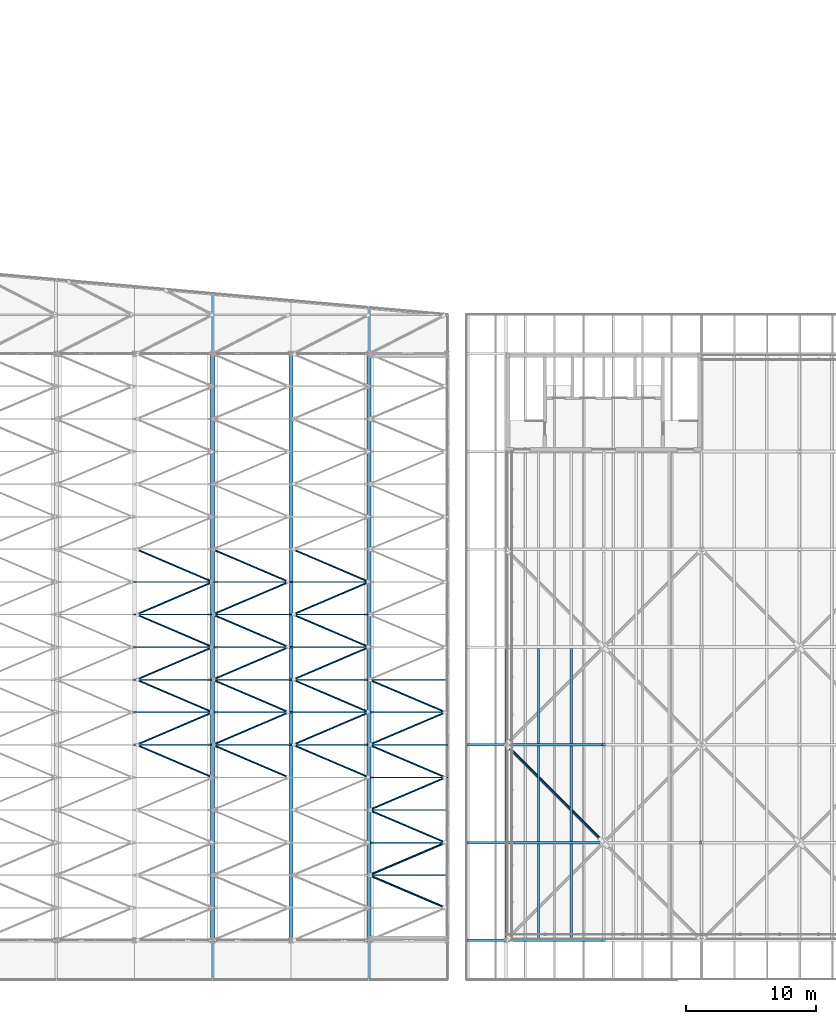
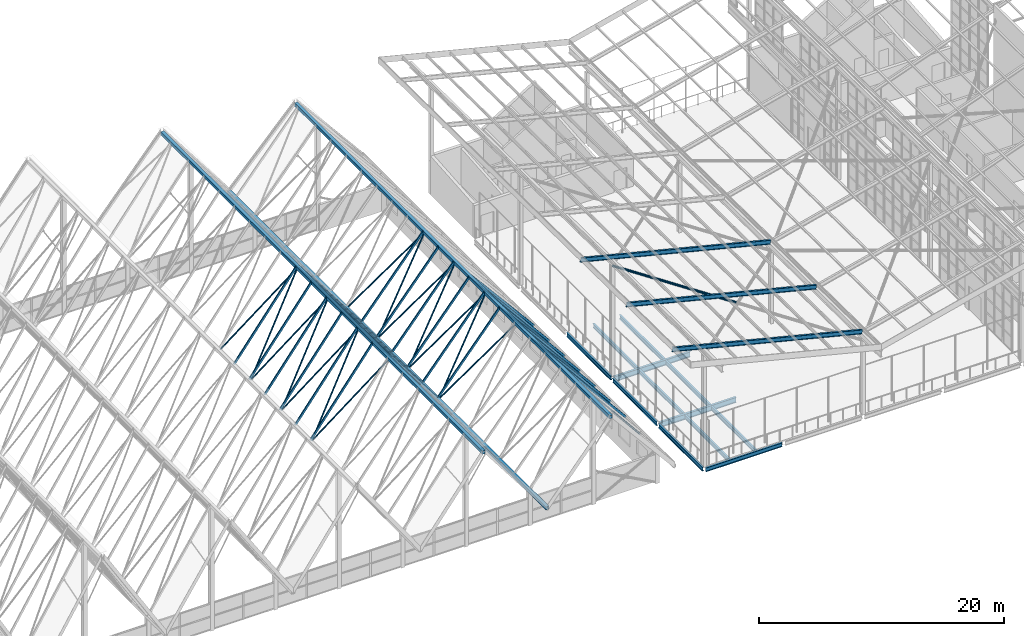
# One storey, part 26 of 483: 60 members, 12 beams.
"""IFC4 building model written with IfcOpenShell, lengths in metres."""

import ifcopenshell
import ifcopenshell.guid

model = None  # the IFC model being written
_history = None  # IfcOwnerHistory: only IFC2X3 demands one
_inside = {}  # id of a spatial element -> (the spatial element, [elements in it])
_under = {}  # id of a project, library or spatial element -> (it, [spatial elements below it])
_declared = {}  # id of a project -> (the project, [libraries it declares])
_typed = {}  # id of a type object -> (the type object, [elements of that type])
_made_of = {}  # id of a material, layer set ... -> (it, [elements and type objects made of it])


def new_model(schema):
    """Start an empty IFC model of exactly this schema.

    Asked for "IFC4X3", IfcOpenShell would pick the latest addendum, in which some entities
    have other attributes; the version numbers below select the first issue.
    IFC2X3 requires an IfcOwnerHistory on every rooted entity: one is made here for all.
    """
    global model, _history
    if schema == "IFC4X3":
        model = ifcopenshell.file(schema_version=(4, 3, 0, 0))
    else:
        model = ifcopenshell.file(schema=schema)
    _inside.clear()
    _under.clear()
    _declared.clear()
    _typed.clear()
    _made_of.clear()
    _history = None
    if model.schema == "IFC2X3":
        org = make("IfcOrganization", Name="unknown")
        user = make(
            "IfcPersonAndOrganization",
            ThePerson=make("IfcPerson", FamilyName="unknown"),
            TheOrganization=org,
        )
        app = make(
            "IfcApplication",
            ApplicationDeveloper=org,
            Version="unknown",
            ApplicationFullName="unknown",
            ApplicationIdentifier="unknown",
        )
        _history = make(
            "IfcOwnerHistory",
            OwningUser=user,
            OwningApplication=app,
            ChangeAction="ADDED",
            CreationDate=0,
        )
    return model


def make(cls, **values):
    """One entity of the class cls with the attributes given. An attribute that is None is left unset."""
    return model.create_entity(
        cls, **{name: value for name, value in values.items() if value is not None}
    )


def rooted(cls, **values):
    """An entity with a GlobalId (a new one), such as an element, a storey or a relation."""
    return make(cls, GlobalId=ifcopenshell.guid.new(), OwnerHistory=_history, **values)


def si_unit(unit_type, name, prefix=None):
    """IfcSIUnit, for example si_unit("LENGTHUNIT", "METRE", prefix="MILLI")."""
    return make("IfcSIUnit", UnitType=unit_type, Prefix=prefix, Name=name)


def assignment(units):
    """IfcUnitAssignment: the units of a project."""
    return None if units is None else make("IfcUnitAssignment", Units=units)


def point(xyz):
    """IfcCartesianPoint."""
    return None if xyz is None else make("IfcCartesianPoint", Coordinates=xyz)


def direction(xyz):
    """IfcDirection."""
    return None if xyz is None else make("IfcDirection", DirectionRatios=xyz)


def frame(location, z_axis=None, x_axis=None):
    """IfcAxis2Placement3D, a coordinate frame: its origin and axes. An axis left out is left unset."""
    return make(
        "IfcAxis2Placement3D",
        Location=point(location),
        Axis=direction(z_axis),
        RefDirection=direction(x_axis),
    )


def frame_2d(location, x_axis=None):
    """IfcAxis2Placement2D, a coordinate frame in the plane: its origin and x axis."""
    return make(
        "IfcAxis2Placement2D", Location=point(location), RefDirection=direction(x_axis)
    )


def origin():
    """The frame at (0, 0, 0) with its axes left unset."""
    return frame((0.0, 0.0, 0.0))


def origin_2d():
    """The frame at (0, 0) in the plane with its x axis left unset."""
    return frame_2d((0.0, 0.0))


def place(relative_to, where):
    """IfcLocalPlacement: puts the frame where relative to a parent placement (None: the world)."""
    return make(
        "IfcLocalPlacement", PlacementRelTo=relative_to, RelativePlacement=where
    )


def context(
    kind, dimensions, precision=None, world=None, true_north=None, identifier=None
):
    """IfcGeometricRepresentationContext, for example the 3D "Model" context."""
    return make(
        "IfcGeometricRepresentationContext",
        ContextIdentifier=identifier,
        ContextType=kind,
        CoordinateSpaceDimension=dimensions,
        Precision=precision,
        WorldCoordinateSystem=world,
        TrueNorth=true_north,
    )


def subcontext(parent, identifier, kind, view, scale=None):
    """IfcGeometricRepresentationSubContext, for example "Body" below "Model"."""
    return make(
        "IfcGeometricRepresentationSubContext",
        ContextIdentifier=identifier,
        ContextType=kind,
        ParentContext=parent,
        TargetScale=scale,
        TargetView=view,
    )


def project(units=None, contexts=None):
    """IfcProject with its units and contexts."""
    return rooted(
        "IfcProject",
        Name="project",
        RepresentationContexts=contexts,
        UnitsInContext=assignment(units),
    )


def spatial(cls, under=None, at=None, **own):
    """A site, building, storey or space (cls), placed at a placement, below another one or the project."""
    s = rooted(cls, ObjectPlacement=at, **own)
    if under is not None:
        _under.setdefault(under.id(), (under, []))[1].append(s)
    return s


def profile(cls, at=None, kind="AREA", **sizes):
    """A parametric profile (cls). Its sizes go by their IFC names, for example OverallWidth=200.0."""
    return make(cls, ProfileType=kind, Position=at, **sizes)


def hollow_rectangle(**sizes):
    """IfcRectangleHollowProfileDef."""
    return profile("IfcRectangleHollowProfileDef", **sizes)


def hollow_circle(**sizes):
    """IfcCircleHollowProfileDef."""
    return profile("IfcCircleHollowProfileDef", **sizes)


def i_section(**sizes):
    """IfcIShapeProfileDef."""
    return profile("IfcIShapeProfileDef", **sizes)


def extrude(swept, where, along, depth):
    """IfcExtrudedAreaSolid: the profile swept, set in the frame where, extruded along a direction by depth."""
    return make(
        "IfcExtrudedAreaSolid",
        SweptArea=swept,
        Position=where,
        ExtrudedDirection=direction(along),
        Depth=depth,
    )


def shape(context_of_items, identifier, shape_type, items):
    """IfcShapeRepresentation: the items that make up one representation, for example the "Body"."""
    return make(
        "IfcShapeRepresentation",
        ContextOfItems=context_of_items,
        RepresentationIdentifier=identifier,
        RepresentationType=shape_type,
        Items=items,
    )


def material(Name=None, Category=None):
    """IfcMaterial."""
    return make("IfcMaterial", Name=Name, Category=Category)


def material_profile(
    of_material, cross_section, Name=None, Category=None, Priority=None
):
    """IfcMaterialProfile: a cross section and its material."""
    return make(
        "IfcMaterialProfile",
        Name=Name,
        Material=of_material,
        Profile=cross_section,
        Priority=Priority,
        Category=Category,
    )


def profile_set(profiles, Name=None, composite=None):
    """IfcMaterialProfileSet."""
    return make(
        "IfcMaterialProfileSet",
        Name=Name,
        MaterialProfiles=profiles,
        CompositeProfile=composite,
    )


def made_of(thing, what):
    """Note that an element or type object is made of a material, layer set ...; save() writes the relation."""
    if what is not None:
        _made_of.setdefault(what.id(), (what, []))[1].append(thing)
    return thing


def type_object(cls, material=None, **own):
    """A type object (cls), such as IfcWallType, which elements share."""
    return made_of(rooted(cls, **own), material)


def element(
    cls,
    number,
    at=None,
    inside=None,
    cuts=None,
    type_object=None,
    material=None,
    context=None,
    identifier="Body",
    shape_type=None,
    held_by="IfcProductDefinitionShape",
    body=None,
    shapes=None,
    **own,
):
    """One element of the class cls, such as IfcWall. Its Tag is "e" and its number.

    at: its placement. inside: the storey or other place that contains it. cuts: it is an
    opening in that element (IfcRelVoidsElement). A single representation is given by context,
    identifier, shape_type and body (its items); several are given by shapes. held_by: the class
    of the entity that holds the representations. save() writes the other relations.
    """
    e = rooted(cls, Tag="e%d" % number, ObjectPlacement=at, **own)
    if body is not None:
        shapes = [shape(context, identifier, shape_type, body)]
    if shapes is not None:
        e.Representation = make(held_by, Representations=shapes)
    if inside is not None:
        _inside.setdefault(inside.id(), (inside, []))[1].append(e)
    if cuts is not None:
        rooted(
            "IfcRelVoidsElement", RelatingBuildingElement=cuts, RelatedOpeningElement=e
        )
    if type_object is not None:
        _typed.setdefault(type_object.id(), (type_object, []))[1].append(e)
    return made_of(e, material)


def aggregate(whole, parts):
    """IfcRelAggregates: a whole, such as a stair, and the parts it consists of."""
    return rooted("IfcRelAggregates", RelatingObject=whole, RelatedObjects=parts)


def save(model, path):
    """Write the relations noted so far, then the file.

    IfcRelAggregates (storeys below a building ...), IfcRelContainedInSpatialStructure (elements
    in a storey), IfcRelDefinesByType, IfcRelAssociatesMaterial and IfcRelDeclares: one each for
    every whole, place, type object, material and project.
    """
    for whole, parts in _under.values():
        aggregate(whole, parts)
    for where, things in _inside.values():
        rooted(
            "IfcRelContainedInSpatialStructure",
            RelatedElements=things,
            RelatingStructure=where,
        )
    for kind, things in _typed.values():
        rooted("IfcRelDefinesByType", RelatedObjects=things, RelatingType=kind)
    for what, things in _made_of.values():
        rooted("IfcRelAssociatesMaterial", RelatedObjects=things, RelatingMaterial=what)
    for by, libraries in _declared.values():
        rooted("IfcRelDeclares", RelatingContext=by, RelatedDefinitions=libraries)
    model.write(path)


model = new_model("IFC4")

# Units and contexts
model_context = context("Model", 3, precision=1e-05, world=origin(), true_north=direction((0.0, 1.0)))
body_context = subcontext(model_context, "Body", "Model", "MODEL_VIEW")
ifc_project = project(units=[si_unit("LENGTHUNIT", "METRE"), si_unit("AREAUNIT", "SQUARE_METRE"), si_unit("VOLUMEUNIT", "CUBIC_METRE"), si_unit("PLANEANGLEUNIT", "RADIAN"), si_unit("MASSUNIT", "GRAM", prefix="KILO")], contexts=[model_context])

# Site, building, storey
site_placement = place(None, origin())
site = spatial("IfcSite", under=ifc_project, at=site_placement, CompositionType="ELEMENT")
building_placement = place(site_placement, origin())
building = spatial("IfcBuilding", under=site, at=building_placement, Name="Parallax Yard Mobility Hub", CompositionType="ELEMENT")
storey_placement = place(building_placement, frame((0.0, 0.0, 13.199951171875)))
storey = spatial("IfcBuildingStorey", under=building, at=storey_placement, Name="L04", CompositionType="ELEMENT", Elevation=13.199951171875)

# Members
ifc_material_1 = material(Name="Steel ASTM A500 Gr C", Category="steel")
ifc_material_profile_1 = material_profile(ifc_material_1, hollow_rectangle(XDim=0.3046875, YDim=0.3046875, WallThickness=0.0126953125, at=origin_2d()), Name="HSS305x305x12.7")
ifc_profile_set_1 = profile_set([ifc_material_profile_1], Name="Steel ASTM A500 Gr C")
member_type_1 = type_object("IfcMemberType", Name="Fold chord HSS305x305x12.7", PredefinedType="CHORD", material=ifc_profile_set_1)
member_1_placement = place(storey_placement, frame((75.0, 4.5, 11.119384765625), z_axis=(0.0, 1.0, 0.0), x_axis=(-1.0, 0.0, 0.0)))
element("IfcMember", 1, at=member_1_placement, inside=storey, type_object=member_type_1, Name="Fold line F12 chord", PredefinedType="CHORD", context=body_context, shape_type="SweptSolid", body=[
    extrude(hollow_rectangle(XDim=0.3046875, YDim=0.3046875, WallThickness=0.0126953125, at=origin_2d()), origin(), (0.0, 0.0, 1.0), 52.607177734375),
])
member_2_placement = place(storey_placement, frame((87.0, 4.5, 10.452392578125), z_axis=(0.0, 1.0, 0.0), x_axis=(-1.0, 0.0, 0.0)))
element("IfcMember", 2, at=member_2_placement, inside=storey, type_object=member_type_1, Name="Fold line F14 chord", PredefinedType="CHORD", context=body_context, shape_type="SweptSolid", body=[
    extrude(hollow_rectangle(XDim=0.3046875, YDim=0.3046875, WallThickness=0.0126953125, at=origin_2d()), origin(), (0.0, 0.0, 1.0), 51.53564453125),
])
ifc_material_profile_2 = material_profile(ifc_material_1, hollow_rectangle(XDim=0.3046875, YDim=0.3046875, WallThickness=0.009521484375, at=origin_2d()), Name="HSS305x305x9.5")
ifc_profile_set_2 = profile_set([ifc_material_profile_2], Name="Steel ASTM A500 Gr C")
member_type_2 = type_object("IfcMemberType", Name="Fold chord HSS305x305x9.5", PredefinedType="CHORD", material=ifc_profile_set_2)
member_3_placement = place(storey_placement, frame((81.0, 4.5, 3.452392578125), z_axis=(0.0, 1.0, 0.0), x_axis=(-1.0, 0.0, 0.0)))
element("IfcMember", 3, at=member_3_placement, inside=storey, type_object=member_type_2, Name="Fold line F13 chord", PredefinedType="CHORD", context=body_context, shape_type="SweptSolid", body=[
    extrude(hollow_rectangle(XDim=0.3046875, YDim=0.3046875, WallThickness=0.009521484375, at=origin_2d()), origin(), (0.0, 0.0, 1.0), 52.0712890625),
])
ifc_material_profile_3 = material_profile(ifc_material_1, hollow_circle(Radius=0.06982421875, WallThickness=0.00634765625, at=origin_2d()), Name="HSS139.7x6.4")
ifc_profile_set_3 = profile_set([ifc_material_profile_3], Name="Steel ASTM A500 Gr C")
member_type_3 = type_object("IfcMemberType", Name="Plate diagonal HSS139.7x6.4", PredefinedType="BRACE", material=ifc_profile_set_3)
for number, where, z_axis, x_axis, name in (
    (4, (92.873046875, 15.0, 3.376953125), (-0.619547352021, 0.263724845556, 0.739330970838), (-0.391665406317, -0.920107716246, 0.0), "Plate diagonal plate F14-F15 bay 4"),
    (5, (87.0, 17.5, 10.385498046875), (0.619547352021, 0.263724845556, -0.739330970838), (-0.391665406317, 0.920107716246, 0.0), "Plate diagonal plate F14-F15 bay 5"),
):
    element("IfcMember", number, at=place(storey_placement, frame(where, z_axis=z_axis, x_axis=x_axis)), inside=storey, type_object=member_type_3, Name=name, PredefinedType="BRACE", context=body_context, shape_type="SweptSolid", body=[
        extrude(hollow_circle(Radius=0.06982421875, WallThickness=0.00634765625, at=origin_2d()), origin(), (0.0, 0.0, 1.0), 9.4794921875),
    ])
for number, where, z_axis, x_axis, name in (
    (6, (75.0, 20.0, 11.039794921875), (-0.588700561603, 0.251682270826, -0.768171649647), (-0.393103707527, -0.919494140888, 0.0), "Plate diagonal plate F11-F12 bay 6"),
    (7, (80.84765625, 20.0, 3.409423828125), (-0.588700561603, 0.251682270826, 0.768171649647), (-0.393103707527, -0.919494140888, 0.0), "Plate diagonal plate F12-F13 bay 6"),
):
    element("IfcMember", number, at=place(storey_placement, frame(where, z_axis=z_axis, x_axis=x_axis)), inside=storey, type_object=member_type_3, Name=name, PredefinedType="BRACE", context=body_context, shape_type="SweptSolid", body=[
        extrude(hollow_circle(Radius=0.06982421875, WallThickness=0.00634765625, at=origin_2d()), origin(), (0.0, 0.0, 1.0), 9.93310546875),
    ])
member_4_placement = place(storey_placement, frame((87.0, 20.0, 10.385498046875), z_axis=(-0.619370499208, 0.264794334999, -0.739096844036), x_axis=(-0.393103707527, -0.919494140888, 0.0)))
element("IfcMember", 8, at=member_4_placement, inside=storey, type_object=member_type_3, Name="Plate diagonal plate F13-F14 bay 6", PredefinedType="BRACE", context=body_context, shape_type="SweptSolid", body=[
    extrude(hollow_circle(Radius=0.06982421875, WallThickness=0.00634765625, at=origin_2d()), origin(), (0.0, 0.0, 1.0), 9.44140625),
])
member_5_placement = place(storey_placement, frame((92.873046875, 20.0, 3.376953125), z_axis=(-0.619547352021, 0.263724845556, 0.739330970838), x_axis=(-0.391665406317, -0.920107716246, 0.0)))
element("IfcMember", 9, at=member_5_placement, inside=storey, type_object=member_type_3, Name="Plate diagonal plate F14-F15 bay 6", PredefinedType="BRACE", context=body_context, shape_type="SweptSolid", body=[
    extrude(hollow_circle(Radius=0.06982421875, WallThickness=0.00634765625, at=origin_2d()), origin(), (0.0, 0.0, 1.0), 9.4794921875),
])
for number, where, z_axis, x_axis, name in (
    (10, (69.15234375, 22.5, 3.409423828125), (0.588700561603, 0.251682270826, 0.768171649647), (-0.393103707527, 0.919494140888, 0.0), "Plate diagonal plate F11-F12 bay 7"),
    (11, (75.0, 22.5, 11.039794921875), (0.588700561603, 0.251682270826, -0.768171649647), (-0.393103707527, 0.919494140888, 0.0), "Plate diagonal plate F12-F13 bay 7"),
):
    element("IfcMember", number, at=place(storey_placement, frame(where, z_axis=z_axis, x_axis=x_axis)), inside=storey, type_object=member_type_3, Name=name, PredefinedType="BRACE", context=body_context, shape_type="SweptSolid", body=[
        extrude(hollow_circle(Radius=0.06982421875, WallThickness=0.00634765625, at=origin_2d()), origin(), (0.0, 0.0, 1.0), 9.93310546875),
    ])
member_6_placement = place(storey_placement, frame((81.15234375, 22.5, 3.407470703125), z_axis=(0.619370499208, 0.264794334999, 0.739096844036), x_axis=(-0.393103707527, 0.919494140888, 0.0)))
element("IfcMember", 12, at=member_6_placement, inside=storey, type_object=member_type_3, Name="Plate diagonal plate F13-F14 bay 7", PredefinedType="BRACE", context=body_context, shape_type="SweptSolid", body=[
    extrude(hollow_circle(Radius=0.06982421875, WallThickness=0.00634765625, at=origin_2d()), origin(), (0.0, 0.0, 1.0), 9.44140625),
])
member_7_placement = place(storey_placement, frame((87.0, 22.5, 10.385498046875), z_axis=(0.619547352021, 0.263724845556, -0.739330970838), x_axis=(-0.391665406317, 0.920107716246, 0.0)))
element("IfcMember", 13, at=member_7_placement, inside=storey, type_object=member_type_3, Name="Plate diagonal plate F14-F15 bay 7", PredefinedType="BRACE", context=body_context, shape_type="SweptSolid", body=[
    extrude(hollow_circle(Radius=0.06982421875, WallThickness=0.00634765625, at=origin_2d()), origin(), (0.0, 0.0, 1.0), 9.4794921875),
])
for number, where, z_axis, x_axis, name in (
    (14, (75.0, 25.0, 11.039794921875), (-0.588700561603, 0.251682270826, -0.768171649647), (-0.393103707527, -0.919494140888, 0.0), "Plate diagonal plate F11-F12 bay 8"),
    (15, (80.84765625, 25.0, 3.409423828125), (-0.588700561603, 0.251682270826, 0.768171649647), (-0.393103707527, -0.919494140888, 0.0), "Plate diagonal plate F12-F13 bay 8"),
):
    element("IfcMember", number, at=place(storey_placement, frame(where, z_axis=z_axis, x_axis=x_axis)), inside=storey, type_object=member_type_3, Name=name, PredefinedType="BRACE", context=body_context, shape_type="SweptSolid", body=[
        extrude(hollow_circle(Radius=0.06982421875, WallThickness=0.00634765625, at=origin_2d()), origin(), (0.0, 0.0, 1.0), 9.93310546875),
    ])
member_8_placement = place(storey_placement, frame((87.0, 25.0, 10.385498046875), z_axis=(-0.619370499208, 0.264794334999, -0.739096844036), x_axis=(-0.393103707527, -0.919494140888, 0.0)))
element("IfcMember", 16, at=member_8_placement, inside=storey, type_object=member_type_3, Name="Plate diagonal plate F13-F14 bay 8", PredefinedType="BRACE", context=body_context, shape_type="SweptSolid", body=[
    extrude(hollow_circle(Radius=0.06982421875, WallThickness=0.00634765625, at=origin_2d()), origin(), (0.0, 0.0, 1.0), 9.44140625),
])
member_9_placement = place(storey_placement, frame((92.873046875, 25.0, 3.376953125), z_axis=(-0.619547352021, 0.263724845556, 0.739330970838), x_axis=(-0.391665406317, -0.920107716246, 0.0)))
element("IfcMember", 17, at=member_9_placement, inside=storey, type_object=member_type_3, Name="Plate diagonal plate F14-F15 bay 8", PredefinedType="BRACE", context=body_context, shape_type="SweptSolid", body=[
    extrude(hollow_circle(Radius=0.06982421875, WallThickness=0.00634765625, at=origin_2d()), origin(), (0.0, 0.0, 1.0), 9.4794921875),
])
for number, where, z_axis, x_axis, name in (
    (18, (69.15234375, 27.5, 3.409423828125), (0.588700561603, 0.251682270826, 0.768171649647), (-0.393103707527, 0.919494140888, 0.0), "Plate diagonal plate F11-F12 bay 9"),
    (19, (75.0, 27.5, 11.039794921875), (0.588700561603, 0.251682270826, -0.768171649647), (-0.393103707527, 0.919494140888, 0.0), "Plate diagonal plate F12-F13 bay 9"),
):
    element("IfcMember", number, at=place(storey_placement, frame(where, z_axis=z_axis, x_axis=x_axis)), inside=storey, type_object=member_type_3, Name=name, PredefinedType="BRACE", context=body_context, shape_type="SweptSolid", body=[
        extrude(hollow_circle(Radius=0.06982421875, WallThickness=0.00634765625, at=origin_2d()), origin(), (0.0, 0.0, 1.0), 9.93310546875),
    ])
member_10_placement = place(storey_placement, frame((81.15234375, 27.5, 3.407470703125), z_axis=(0.619370499208, 0.264794334999, 0.739096844036), x_axis=(-0.393103707527, 0.919494140888, 0.0)))
element("IfcMember", 20, at=member_10_placement, inside=storey, type_object=member_type_3, Name="Plate diagonal plate F13-F14 bay 9", PredefinedType="BRACE", context=body_context, shape_type="SweptSolid", body=[
    extrude(hollow_circle(Radius=0.06982421875, WallThickness=0.00634765625, at=origin_2d()), origin(), (0.0, 0.0, 1.0), 9.44140625),
])
for number, where, z_axis, x_axis, name in (
    (21, (75.0, 30.0, 11.039794921875), (-0.588700561603, 0.251682270826, -0.768171649647), (-0.393103707527, -0.919494140888, 0.0), "Plate diagonal plate F11-F12 bay 10"),
    (22, (80.84765625, 30.0, 3.409423828125), (-0.588700561603, 0.251682270826, 0.768171649647), (-0.393103707527, -0.919494140888, 0.0), "Plate diagonal plate F12-F13 bay 10"),
):
    element("IfcMember", number, at=place(storey_placement, frame(where, z_axis=z_axis, x_axis=x_axis)), inside=storey, type_object=member_type_3, Name=name, PredefinedType="BRACE", context=body_context, shape_type="SweptSolid", body=[
        extrude(hollow_circle(Radius=0.06982421875, WallThickness=0.00634765625, at=origin_2d()), origin(), (0.0, 0.0, 1.0), 9.93310546875),
    ])
member_11_placement = place(storey_placement, frame((87.0, 30.0, 10.385498046875), z_axis=(-0.619370499208, 0.264794334999, -0.739096844036), x_axis=(-0.393103707527, -0.919494140888, 0.0)))
element("IfcMember", 23, at=member_11_placement, inside=storey, type_object=member_type_3, Name="Plate diagonal plate F13-F14 bay 10", PredefinedType="BRACE", context=body_context, shape_type="SweptSolid", body=[
    extrude(hollow_circle(Radius=0.06982421875, WallThickness=0.00634765625, at=origin_2d()), origin(), (0.0, 0.0, 1.0), 9.44140625),
])
for number, where, z_axis, x_axis, name in (
    (24, (69.15234375, 32.5, 3.409423828125), (0.588700561603, 0.251682270826, 0.768171649647), (-0.393103707527, 0.919494140888, 0.0), "Plate diagonal plate F11-F12 bay 11"),
    (25, (75.0, 32.5, 11.039794921875), (0.588700561603, 0.251682270826, -0.768171649647), (-0.393103707527, 0.919494140888, 0.0), "Plate diagonal plate F12-F13 bay 11"),
):
    element("IfcMember", number, at=place(storey_placement, frame(where, z_axis=z_axis, x_axis=x_axis)), inside=storey, type_object=member_type_3, Name=name, PredefinedType="BRACE", context=body_context, shape_type="SweptSolid", body=[
        extrude(hollow_circle(Radius=0.06982421875, WallThickness=0.00634765625, at=origin_2d()), origin(), (0.0, 0.0, 1.0), 9.93310546875),
    ])
member_12_placement = place(storey_placement, frame((81.15234375, 32.5, 3.407470703125), z_axis=(0.619370499208, 0.264794334999, 0.739096844036), x_axis=(-0.393103707527, 0.919494140888, 0.0)))
element("IfcMember", 26, at=member_12_placement, inside=storey, type_object=member_type_3, Name="Plate diagonal plate F13-F14 bay 11", PredefinedType="BRACE", context=body_context, shape_type="SweptSolid", body=[
    extrude(hollow_circle(Radius=0.06982421875, WallThickness=0.00634765625, at=origin_2d()), origin(), (0.0, 0.0, 1.0), 9.44140625),
])
for number, where, z_axis, x_axis, name in (
    (27, (75.0, 35.0, 11.039794921875), (-0.588700561603, 0.251682270826, -0.768171649647), (-0.393103707527, -0.919494140888, 0.0), "Plate diagonal plate F11-F12 bay 12"),
    (28, (80.84765625, 35.0, 3.409423828125), (-0.588700561603, 0.251682270826, 0.768171649647), (-0.393103707527, -0.919494140888, 0.0), "Plate diagonal plate F12-F13 bay 12"),
):
    element("IfcMember", number, at=place(storey_placement, frame(where, z_axis=z_axis, x_axis=x_axis)), inside=storey, type_object=member_type_3, Name=name, PredefinedType="BRACE", context=body_context, shape_type="SweptSolid", body=[
        extrude(hollow_circle(Radius=0.06982421875, WallThickness=0.00634765625, at=origin_2d()), origin(), (0.0, 0.0, 1.0), 9.93310546875),
    ])
member_13_placement = place(storey_placement, frame((87.0, 35.0, 10.385498046875), z_axis=(-0.619370499208, 0.264794334999, -0.739096844036), x_axis=(-0.393103707527, -0.919494140888, 0.0)))
element("IfcMember", 29, at=member_13_placement, inside=storey, type_object=member_type_3, Name="Plate diagonal plate F13-F14 bay 12", PredefinedType="BRACE", context=body_context, shape_type="SweptSolid", body=[
    extrude(hollow_circle(Radius=0.06982421875, WallThickness=0.00634765625, at=origin_2d()), origin(), (0.0, 0.0, 1.0), 9.44140625),
])
ifc_material_profile_4 = material_profile(ifc_material_1, hollow_circle(Radius=0.084228515625, WallThickness=0.007080078125, at=origin_2d()), Name="HSS168.3x7.1")
ifc_profile_set_4 = profile_set([ifc_material_profile_4], Name="Steel ASTM A500 Gr C")
member_type_4 = type_object("IfcMemberType", Name="Plate diagonal HSS168.3x7.1", PredefinedType="BRACE", material=ifc_profile_set_4)
for number, where, z_axis, x_axis, name in (
    (30, (92.873046875, 10.0, 3.376953125), (-0.619547352021, 0.263724845556, 0.739330970838), (-0.391665406317, -0.920107716246, 0.0), "Plate diagonal plate F14-F15 bay 2"),
    (31, (87.0, 12.5, 10.385498046875), (0.619547352021, 0.263724845556, -0.739330970838), (-0.391665406317, 0.920107716246, 0.0), "Plate diagonal plate F14-F15 bay 3"),
):
    element("IfcMember", number, at=place(storey_placement, frame(where, z_axis=z_axis, x_axis=x_axis)), inside=storey, type_object=member_type_4, Name=name, PredefinedType="BRACE", context=body_context, shape_type="SweptSolid", body=[
        extrude(hollow_circle(Radius=0.084228515625, WallThickness=0.007080078125, at=origin_2d()), origin(), (0.0, 0.0, 1.0), 9.4794921875),
    ])
ifc_material_profile_5 = material_profile(ifc_material_1, hollow_circle(Radius=0.109619140625, WallThickness=0.008056640625, at=origin_2d()), Name="HSS219.1x8.0")
ifc_profile_set_5 = profile_set([ifc_material_profile_5], Name="Steel ASTM A500 Gr C")
member_type_5 = type_object("IfcMemberType", Name="Roof brace HSS219.1x8.0", PredefinedType="BRACE", material=ifc_profile_set_5)
member_14_placement = place(storey_placement, frame((104.9306640625, 15.0693359375, 9.17724609375), z_axis=(-0.697140942964, 0.697140942964, 0.16729916702), x_axis=(-0.707106781187, -0.707106781187, 0.0)))
element("IfcMember", 32, at=member_14_placement, inside=storey, type_object=member_type_5, Name="Roof X brace west wing bay 1 2 (half 2)", PredefinedType="BRACE", context=body_context, shape_type="SweptSolid", body=[
    extrude(hollow_circle(Radius=0.109619140625, WallThickness=0.008056640625, at=origin_2d()), origin(), (0.0, 0.0, 1.0), 10.65869140625),
])
ifc_material_profile_6 = material_profile(ifc_material_1, hollow_rectangle(XDim=0.1015625, YDim=0.203125, WallThickness=0.00634765625, at=origin_2d()), Name="HSS203x102x6.4")
ifc_profile_set_6 = profile_set([ifc_material_profile_6], Name="Steel ASTM A500 Gr C")
member_type_6 = type_object("IfcMemberType", Name="Roof rafter HSS203x102x6.4", PredefinedType="RAFTER", material=ifc_profile_set_6)
for number, where, z_axis, x_axis, name in (
    (33, (87.074462890625, 12.5, 10.5634765625), (0.642303597154, 0.0, -0.766450317426), (0.0, 1.0, 0.0), "Roof rafter plate F14-F15 at y 12.5"),
    (34, (87.074462890625, 15.0, 10.5634765625), (0.642303597154, 0.0, -0.766450317426), (0.0, 1.0, 0.0), "Roof rafter plate F14-F15 at y 15"),
    (35, (87.074462890625, 17.5, 10.5634765625), (0.642303597154, 0.0, -0.766450317426), (0.0, 1.0, 0.0), "Roof rafter plate F14-F15 at y 17.5"),
    (36, (87.074462890625, 20.0, 10.5634765625), (0.642303597154, 0.0, -0.766450317426), (0.0, 1.0, 0.0), "Roof rafter plate F14-F15 at y 20"),
):
    element("IfcMember", number, at=place(storey_placement, frame(where, z_axis=z_axis, x_axis=x_axis)), inside=storey, type_object=member_type_6, Name=name, PredefinedType="RAFTER", context=body_context, shape_type="SweptSolid", body=[
        extrude(hollow_rectangle(XDim=0.1015625, YDim=0.203125, WallThickness=0.00634765625, at=origin_2d()), origin(), (0.0, 0.0, 1.0), 9.21337890625),
    ])
for number, where, z_axis, x_axis, name in (
    (37, (69.010498046875, 22.5, 3.50634765625), (0.608287178019, 0.0, 0.793717020768), (0.0, 1.0, 0.0), "Roof rafter plate F11-F12 at y 22.5"),
    (38, (75.07177734375, 22.5, 11.22802734375), (0.608287178019, 0.0, -0.793717020768), (0.0, 1.0, 0.0), "Roof rafter plate F12-F13 at y 22.5"),
):
    element("IfcMember", number, at=place(storey_placement, frame(where, z_axis=z_axis, x_axis=x_axis)), inside=storey, type_object=member_type_6, Name=name, PredefinedType="RAFTER", context=body_context, shape_type="SweptSolid", body=[
        extrude(hollow_rectangle(XDim=0.1015625, YDim=0.203125, WallThickness=0.00634765625, at=origin_2d()), origin(), (0.0, 0.0, 1.0), 9.728515625),
    ])
for number, where, z_axis, x_axis, name in (
    (39, (81.0078125, 22.5, 3.501953125), (0.642303597154, 0.0, 0.766450317426), (0.0, 1.0, 0.0), "Roof rafter plate F13-F14 at y 22.5"),
    (40, (87.074462890625, 22.5, 10.5634765625), (0.642303597154, 0.0, -0.766450317426), (0.0, 1.0, 0.0), "Roof rafter plate F14-F15 at y 22.5"),
):
    element("IfcMember", number, at=place(storey_placement, frame(where, z_axis=z_axis, x_axis=x_axis)), inside=storey, type_object=member_type_6, Name=name, PredefinedType="RAFTER", context=body_context, shape_type="SweptSolid", body=[
        extrude(hollow_rectangle(XDim=0.1015625, YDim=0.203125, WallThickness=0.00634765625, at=origin_2d()), origin(), (0.0, 0.0, 1.0), 9.21337890625),
    ])
for number, where, z_axis, x_axis, name in (
    (41, (69.010498046875, 25.0, 3.50634765625), (0.608287178019, 0.0, 0.793717020768), (0.0, 1.0, 0.0), "Roof rafter plate F11-F12 at y 25"),
    (42, (75.07177734375, 25.0, 11.22802734375), (0.608287178019, 0.0, -0.793717020768), (0.0, 1.0, 0.0), "Roof rafter plate F12-F13 at y 25"),
):
    element("IfcMember", number, at=place(storey_placement, frame(where, z_axis=z_axis, x_axis=x_axis)), inside=storey, type_object=member_type_6, Name=name, PredefinedType="RAFTER", context=body_context, shape_type="SweptSolid", body=[
        extrude(hollow_rectangle(XDim=0.1015625, YDim=0.203125, WallThickness=0.00634765625, at=origin_2d()), origin(), (0.0, 0.0, 1.0), 9.728515625),
    ])
for number, where, z_axis, x_axis, name in (
    (43, (81.0078125, 25.0, 3.501953125), (0.642303597154, 0.0, 0.766450317426), (0.0, 1.0, 0.0), "Roof rafter plate F13-F14 at y 25"),
    (44, (87.074462890625, 25.0, 10.5634765625), (0.642303597154, 0.0, -0.766450317426), (0.0, 1.0, 0.0), "Roof rafter plate F14-F15 at y 25"),
):
    element("IfcMember", number, at=place(storey_placement, frame(where, z_axis=z_axis, x_axis=x_axis)), inside=storey, type_object=member_type_6, Name=name, PredefinedType="RAFTER", context=body_context, shape_type="SweptSolid", body=[
        extrude(hollow_rectangle(XDim=0.1015625, YDim=0.203125, WallThickness=0.00634765625, at=origin_2d()), origin(), (0.0, 0.0, 1.0), 9.21337890625),
    ])
for number, where, z_axis, x_axis, name in (
    (45, (69.010498046875, 27.5, 3.50634765625), (0.608287178019, 0.0, 0.793717020768), (0.0, 1.0, 0.0), "Roof rafter plate F11-F12 at y 27.5"),
    (46, (75.07177734375, 27.5, 11.22802734375), (0.608287178019, 0.0, -0.793717020768), (0.0, 1.0, 0.0), "Roof rafter plate F12-F13 at y 27.5"),
):
    element("IfcMember", number, at=place(storey_placement, frame(where, z_axis=z_axis, x_axis=x_axis)), inside=storey, type_object=member_type_6, Name=name, PredefinedType="RAFTER", context=body_context, shape_type="SweptSolid", body=[
        extrude(hollow_rectangle(XDim=0.1015625, YDim=0.203125, WallThickness=0.00634765625, at=origin_2d()), origin(), (0.0, 0.0, 1.0), 9.728515625),
    ])
for number, where, z_axis, x_axis, name in (
    (47, (81.0078125, 27.5, 3.501953125), (0.642303597154, 0.0, 0.766450317426), (0.0, 1.0, 0.0), "Roof rafter plate F13-F14 at y 27.5"),
    (48, (87.074462890625, 27.5, 10.5634765625), (0.642303597154, 0.0, -0.766450317426), (0.0, 1.0, 0.0), "Roof rafter plate F14-F15 at y 27.5"),
):
    element("IfcMember", number, at=place(storey_placement, frame(where, z_axis=z_axis, x_axis=x_axis)), inside=storey, type_object=member_type_6, Name=name, PredefinedType="RAFTER", context=body_context, shape_type="SweptSolid", body=[
        extrude(hollow_rectangle(XDim=0.1015625, YDim=0.203125, WallThickness=0.00634765625, at=origin_2d()), origin(), (0.0, 0.0, 1.0), 9.21337890625),
    ])
for number, where, z_axis, x_axis, name in (
    (49, (69.010498046875, 30.0, 3.50634765625), (0.608287178019, 0.0, 0.793717020768), (0.0, 1.0, 0.0), "Roof rafter plate F11-F12 at y 30"),
    (50, (75.07177734375, 30.0, 11.22802734375), (0.608287178019, 0.0, -0.793717020768), (0.0, 1.0, 0.0), "Roof rafter plate F12-F13 at y 30"),
):
    element("IfcMember", number, at=place(storey_placement, frame(where, z_axis=z_axis, x_axis=x_axis)), inside=storey, type_object=member_type_6, Name=name, PredefinedType="RAFTER", context=body_context, shape_type="SweptSolid", body=[
        extrude(hollow_rectangle(XDim=0.1015625, YDim=0.203125, WallThickness=0.00634765625, at=origin_2d()), origin(), (0.0, 0.0, 1.0), 9.728515625),
    ])
member_15_placement = place(storey_placement, frame((81.0078125, 30.0, 3.501953125), z_axis=(0.642303597154, 0.0, 0.766450317426), x_axis=(0.0, 1.0, 0.0)))
element("IfcMember", 51, at=member_15_placement, inside=storey, type_object=member_type_6, Name="Roof rafter plate F13-F14 at y 30", PredefinedType="RAFTER", context=body_context, shape_type="SweptSolid", body=[
    extrude(hollow_rectangle(XDim=0.1015625, YDim=0.203125, WallThickness=0.00634765625, at=origin_2d()), origin(), (0.0, 0.0, 1.0), 9.21337890625),
])
for number, where, z_axis, x_axis, name in (
    (52, (69.010498046875, 32.5, 3.50634765625), (0.608287178019, 0.0, 0.793717020768), (0.0, 1.0, 0.0), "Roof rafter plate F11-F12 at y 32.5"),
    (53, (75.07177734375, 32.5, 11.22802734375), (0.608287178019, 0.0, -0.793717020768), (0.0, 1.0, 0.0), "Roof rafter plate F12-F13 at y 32.5"),
):
    element("IfcMember", number, at=place(storey_placement, frame(where, z_axis=z_axis, x_axis=x_axis)), inside=storey, type_object=member_type_6, Name=name, PredefinedType="RAFTER", context=body_context, shape_type="SweptSolid", body=[
        extrude(hollow_rectangle(XDim=0.1015625, YDim=0.203125, WallThickness=0.00634765625, at=origin_2d()), origin(), (0.0, 0.0, 1.0), 9.728515625),
    ])
member_16_placement = place(storey_placement, frame((81.0078125, 32.5, 3.501953125), z_axis=(0.642303597154, 0.0, 0.766450317426), x_axis=(0.0, 1.0, 0.0)))
element("IfcMember", 54, at=member_16_placement, inside=storey, type_object=member_type_6, Name="Roof rafter plate F13-F14 at y 32.5", PredefinedType="RAFTER", context=body_context, shape_type="SweptSolid", body=[
    extrude(hollow_rectangle(XDim=0.1015625, YDim=0.203125, WallThickness=0.00634765625, at=origin_2d()), origin(), (0.0, 0.0, 1.0), 9.21337890625),
])
for number, where, z_axis, x_axis, name in (
    (55, (69.010498046875, 35.0, 3.50634765625), (0.608287178019, 0.0, 0.793717020768), (0.0, 1.0, 0.0), "Roof rafter plate F11-F12 at y 35"),
    (56, (75.07177734375, 35.0, 11.22802734375), (0.608287178019, 0.0, -0.793717020768), (0.0, 1.0, 0.0), "Roof rafter plate F12-F13 at y 35"),
):
    element("IfcMember", number, at=place(storey_placement, frame(where, z_axis=z_axis, x_axis=x_axis)), inside=storey, type_object=member_type_6, Name=name, PredefinedType="RAFTER", context=body_context, shape_type="SweptSolid", body=[
        extrude(hollow_rectangle(XDim=0.1015625, YDim=0.203125, WallThickness=0.00634765625, at=origin_2d()), origin(), (0.0, 0.0, 1.0), 9.728515625),
    ])
member_17_placement = place(storey_placement, frame((81.0078125, 35.0, 3.501953125), z_axis=(0.642303597154, 0.0, 0.766450317426), x_axis=(0.0, 1.0, 0.0)))
element("IfcMember", 57, at=member_17_placement, inside=storey, type_object=member_type_6, Name="Roof rafter plate F13-F14 at y 35", PredefinedType="RAFTER", context=body_context, shape_type="SweptSolid", body=[
    extrude(hollow_rectangle(XDim=0.1015625, YDim=0.203125, WallThickness=0.00634765625, at=origin_2d()), origin(), (0.0, 0.0, 1.0), 9.21337890625),
])
ifc_material_2 = material(Name="Steel ASTM A992", Category="steel")
ifc_material_profile_7 = material_profile(ifc_material_2, i_section(OverallWidth=0.177978515625, OverallDepth=0.406982421875, WebThickness=0.0078125, FlangeThickness=0.0126953125, at=origin_2d()), Name="W410x60")
ifc_profile_set_7 = profile_set([ifc_material_profile_7], Name="Steel ASTM A992")
member_type_7 = type_object("IfcMemberType", Name="Roof rafter W410x60", PredefinedType="RAFTER", material=ifc_profile_set_7)
for number, where, z_axis, x_axis, name in (
    (58, (94.50048828125, 7.498046875, 12.74267578125), (0.970142500145, 0.0, -0.242535625036), (-0.002352689629, 0.999952950131, -0.009410758517), "Roof rafter court west wing at y 7.5"),
    (59, (94.50048828125, 14.998046875, 12.667724609375), (0.970142500145, 0.0, -0.242535625036), (-0.002352689629, 0.999952950131, -0.009410758517), "Roof rafter court west wing at y 15"),
    (60, (94.50048828125, 22.498046875, 12.592529296875), (0.97014560476, 0.0, -0.242523206239), (-0.002352569162, 0.999952950131, -0.009410788633), "Roof rafter court west wing at y 22.5"),
):
    element("IfcMember", number, at=place(storey_placement, frame(where, z_axis=z_axis, x_axis=x_axis)), inside=storey, type_object=member_type_7, Name=name, PredefinedType="RAFTER", context=body_context, shape_type="SweptSolid", body=[
        extrude(i_section(OverallWidth=0.177978515625, OverallDepth=0.406982421875, WebThickness=0.0078125, FlangeThickness=0.0126953125, at=origin_2d()), origin(), (0.0, 0.0, 1.0), 18.502685546875),
    ])

# Beams
ifc_material_profile_8 = material_profile(ifc_material_2, i_section(OverallWidth=0.177978515625, OverallDepth=0.406005859375, WebThickness=0.0078125, FlangeThickness=0.0126953125, FilletRadius=0.01025390625, at=origin_2d()), Name="W410x60")
ifc_profile_set_8 = profile_set([ifc_material_profile_8], Name="Steel ASTM A992")
beam_type_1 = type_object("IfcBeamType", Name="W410x60 secondary beam", PredefinedType="JOIST", material=ifc_profile_set_8)
beam_1_placement = place(storey_placement, frame((100.0, 7.589599609375, -0.343017578125), z_axis=(0.0, 1.0, 0.0), x_axis=(-1.0, 0.0, 0.0)))
element("IfcBeam", 61, at=beam_1_placement, inside=storey, type_object=beam_type_1, Name="Secondary beam B1 level L04, 2.5 m east of line 14 of mobility service centre and workshops, span 1", PredefinedType="JOIST", context=body_context, shape_type="SweptSolid", body=[
    extrude(i_section(OverallWidth=0.177978515625, OverallDepth=0.406005859375, WebThickness=0.0078125, FlangeThickness=0.0126953125, FilletRadius=0.01025390625, at=origin_2d()), origin(), (0.0, 0.0, 1.0), 7.305908203125),
])
for number, where, z_axis, x_axis, name in (
    (62, (100.0, 15.1044921875, -0.343017578125), (0.0, 1.0, 0.0), (-1.0, 0.0, 0.0), "Secondary beam B1 level L04, 2.5 m east of line 14 of mobility service centre and workshops, span 2"),
    (63, (100.0, 22.6044921875, -0.343017578125), (0.0, 1.0, 0.0), (-1.0, 0.0, 0.0), "Secondary beam B1 level L04, 2.5 m east of line 14 of mobility service centre and workshops, span 3"),
):
    element("IfcBeam", number, at=place(storey_placement, frame(where, z_axis=z_axis, x_axis=x_axis)), inside=storey, type_object=beam_type_1, Name=name, PredefinedType="JOIST", context=body_context, shape_type="SweptSolid", body=[
        extrude(i_section(OverallWidth=0.177978515625, OverallDepth=0.406005859375, WebThickness=0.0078125, FlangeThickness=0.0126953125, FilletRadius=0.01025390625, at=origin_2d()), origin(), (0.0, 0.0, 1.0), 7.291015625),
    ])
beam_2_placement = place(storey_placement, frame((102.5, 7.589599609375, -0.343017578125), z_axis=(0.0, 1.0, 0.0), x_axis=(-1.0, 0.0, 0.0)))
element("IfcBeam", 64, at=beam_2_placement, inside=storey, type_object=beam_type_1, Name="Secondary beam B1 level L04, 5 m east of line 14 of mobility service centre and workshops, span 1", PredefinedType="JOIST", context=body_context, shape_type="SweptSolid", body=[
    extrude(i_section(OverallWidth=0.177978515625, OverallDepth=0.406005859375, WebThickness=0.0078125, FlangeThickness=0.0126953125, FilletRadius=0.01025390625, at=origin_2d()), origin(), (0.0, 0.0, 1.0), 7.305908203125),
])
for number, where, z_axis, x_axis, name in (
    (65, (102.5, 15.1044921875, -0.343017578125), (0.0, 1.0, 0.0), (-1.0, 0.0, 0.0), "Secondary beam B1 level L04, 5 m east of line 14 of mobility service centre and workshops, span 2"),
    (66, (102.5, 22.6044921875, -0.343017578125), (0.0, 1.0, 0.0), (-1.0, 0.0, 0.0), "Secondary beam B1 level L04, 5 m east of line 14 of mobility service centre and workshops, span 3"),
):
    element("IfcBeam", number, at=place(storey_placement, frame(where, z_axis=z_axis, x_axis=x_axis)), inside=storey, type_object=beam_type_1, Name=name, PredefinedType="JOIST", context=body_context, shape_type="SweptSolid", body=[
        extrude(i_section(OverallWidth=0.177978515625, OverallDepth=0.406005859375, WebThickness=0.0078125, FlangeThickness=0.0126953125, FilletRadius=0.01025390625, at=origin_2d()), origin(), (0.0, 0.0, 1.0), 7.291015625),
    ])
ifc_material_profile_9 = material_profile(ifc_material_2, i_section(OverallWidth=0.178955078125, OverallDepth=0.408935546875, WebThickness=0.0087890625, FlangeThickness=0.014404296875, FilletRadius=0.01025390625, at=origin_2d()), Name="W410x67")
ifc_profile_set_9 = profile_set([ifc_material_profile_9], Name="Steel ASTM A992")
beam_type_2 = type_object("IfcBeamType", Name="W410x67 edge beam", PredefinedType="SPANDREL", material=ifc_profile_set_9)
for number, where, z_axis, x_axis, name in (
    (67, (97.5, 7.653564453125, -0.344482421875), (0.0, 1.0, 0.0), (-1.0, 0.0, 0.0), "Edge beam SB3 level L04, line 14 of mobility service centre and workshops, span 1"),
    (68, (97.5, 15.153564453125, -0.344482421875), (0.0, 1.0, 0.0), (-1.0, 0.0, 0.0), "Edge beam SB3 level L04, line 14 of mobility service centre and workshops, span 2"),
    (69, (97.5, 22.653564453125, -0.344482421875), (0.0, 1.0, 0.0), (-1.0, 0.0, 0.0), "Edge beam SB3 level L04, line 14 of mobility service centre and workshops, span 3"),
):
    element("IfcBeam", number, at=place(storey_placement, frame(where, z_axis=z_axis, x_axis=x_axis)), inside=storey, type_object=beam_type_2, Name=name, PredefinedType="SPANDREL", context=body_context, shape_type="SweptSolid", body=[
        extrude(i_section(OverallWidth=0.178955078125, OverallDepth=0.408935546875, WebThickness=0.0087890625, FlangeThickness=0.014404296875, FilletRadius=0.01025390625, at=origin_2d()), origin(), (0.0, 0.0, 1.0), 7.19287109375),
    ])
beam_3_placement = place(storey_placement, frame((97.652587890625, 7.5, -0.344482421875), z_axis=(1.0, 0.0, 0.0), x_axis=(0.0, 1.0, 0.0)))
element("IfcBeam", 70, at=beam_3_placement, inside=storey, type_object=beam_type_2, Name="Edge beam SB3 level L04, line B of mobility service centre and workshops, span 1", PredefinedType="SPANDREL", context=body_context, shape_type="SweptSolid", body=[
    extrude(i_section(OverallWidth=0.178955078125, OverallDepth=0.408935546875, WebThickness=0.0087890625, FlangeThickness=0.014404296875, FilletRadius=0.01025390625, at=origin_2d()), origin(), (0.0, 0.0, 1.0), 7.19482421875),
])
ifc_material_profile_10 = material_profile(ifc_material_2, i_section(OverallWidth=0.208984375, OverallDepth=0.532958984375, WebThickness=0.01025390625, FlangeThickness=0.015625, FilletRadius=0.0126953125, at=origin_2d()), Name="W530x92")
ifc_profile_set_10 = profile_set([ifc_material_profile_10], Name="Steel ASTM A992")
beam_type_3 = type_object("IfcBeamType", Name="W530x92 longitudinal beam", PredefinedType="BEAM", material=ifc_profile_set_10)
for number, where, z_axis, x_axis, name in (
    (71, (97.652587890625, 15.0, -0.406494140625), (1.0, 0.0, 0.0), (0.0, 1.0, 0.0), "Longitudinal beam SB6 level L04, line C of mobility service centre and workshops, span 1"),
    (72, (97.652587890625, 22.5, -0.406494140625), (1.0, 0.0, 0.0), (0.0, 1.0, 0.0), "Longitudinal beam SB6 level L04, line D of mobility service centre and workshops, span 1"),
):
    element("IfcBeam", number, at=place(storey_placement, frame(where, z_axis=z_axis, x_axis=x_axis)), inside=storey, type_object=beam_type_3, Name=name, PredefinedType="BEAM", context=body_context, shape_type="SweptSolid", body=[
        extrude(i_section(OverallWidth=0.208984375, OverallDepth=0.532958984375, WebThickness=0.01025390625, FlangeThickness=0.015625, FilletRadius=0.0126953125, at=origin_2d()), origin(), (0.0, 0.0, 1.0), 7.19482421875),
    ])

save(model, "model.ifc")
